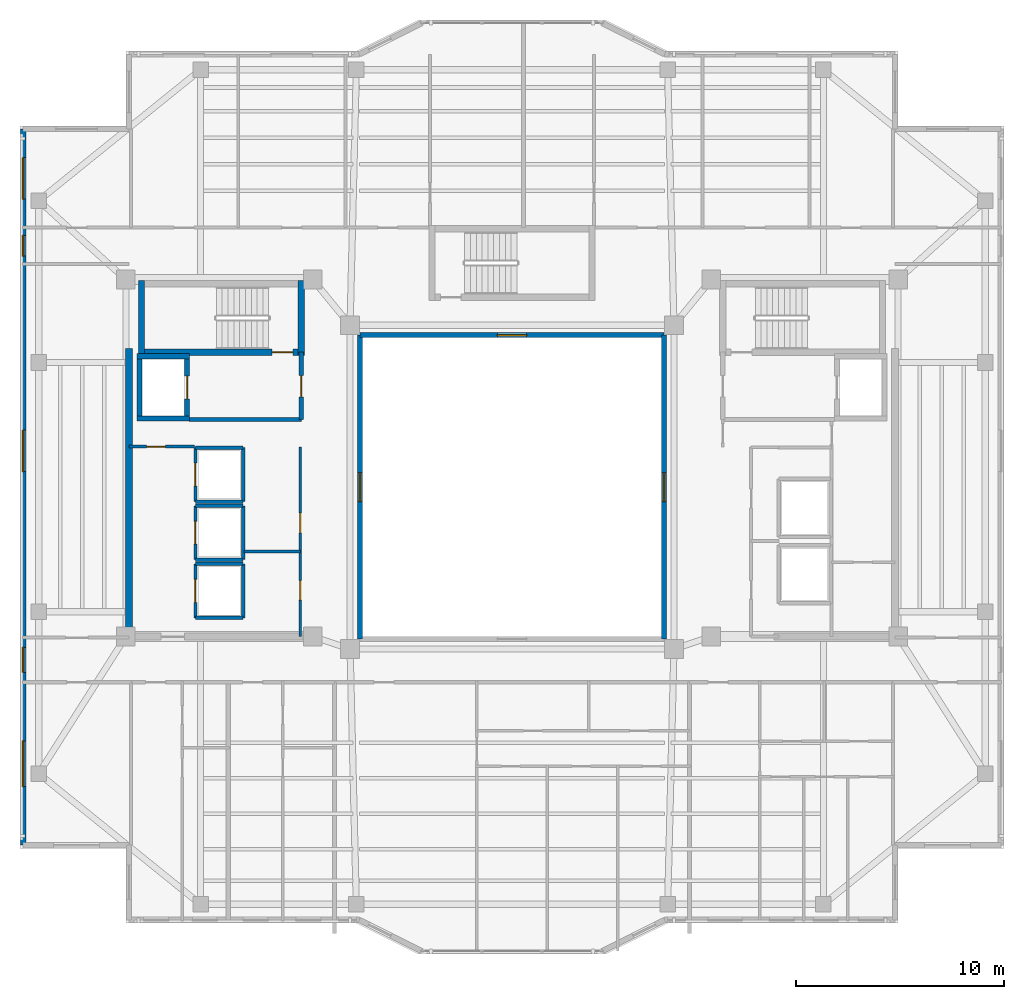
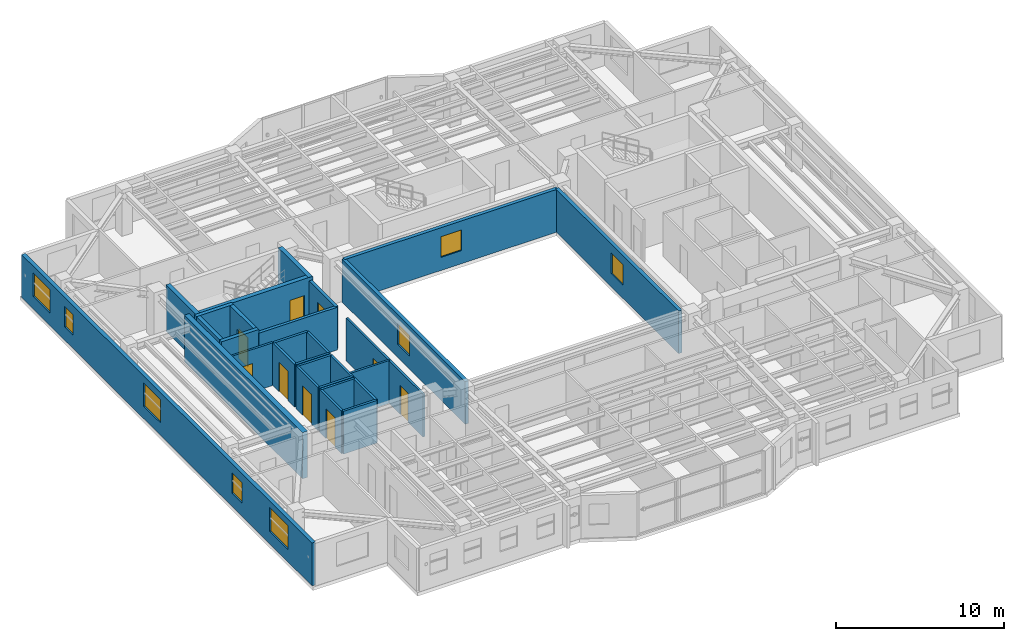
# One storey, part 7 of 14: 29 walls, 9 doors, 8 windows, 17 openings.
"""IFC4 building model written with IfcOpenShell, lengths in metres."""

from ifc_helpers import new_model, si_unit, direction, frame, frame_2d, origin, place, context, subcontext, project, spatial, rectangle, extrude, material, layer, layer_set, type_object, element, fill, save


model = new_model("IFC4")

# Units and contexts
model_context = context("Model", 3, precision=1e-05, world=origin(), true_north=direction((0.0, 1.0)))
body_context = subcontext(model_context, "Body", "Model", "MODEL_VIEW")
ifc_project = project(units=[si_unit("LENGTHUNIT", "METRE"), si_unit("AREAUNIT", "SQUARE_METRE"), si_unit("VOLUMEUNIT", "CUBIC_METRE"), si_unit("PLANEANGLEUNIT", "RADIAN"), si_unit("MASSUNIT", "GRAM", prefix="KILO")], contexts=[model_context])

# Site, building, storey
site_placement = place(None, origin())
site = spatial("IfcSite", under=ifc_project, at=site_placement, CompositionType="ELEMENT")
building_placement = place(site_placement, origin())
building = spatial("IfcBuilding", under=site, at=building_placement, Name="Tarnavaz Court Tower", CompositionType="ELEMENT")
storey_placement = place(building_placement, frame((0.0, 0.0, 190.25)))
storey = spatial("IfcBuildingStorey", under=building, at=storey_placement, Name="L51", CompositionType="ELEMENT", Elevation=190.25)

# Wall
ifc_material_1 = material(Name="Concrete C50/60", Category="concrete")
ifc_layer_1 = layer(ifc_material_1, 0.25)
ifc_layer_set_1 = layer_set([ifc_layer_1], Name="Concrete C50/60")
wall_type_1 = type_object("IfcWallType", Name="WL-CORE-250-C50", PredefinedType="SHEAR", material=ifc_layer_set_1)
wall_1_placement = place(storey_placement, frame((-17.949951171875, 3.175048828125, 0.0), z_axis=(0.0, 0.0, 1.0), x_axis=(0.0, 1.0, 0.0)))
element("IfcWall", 1, at=wall_1_placement, inside=storey, type_object=wall_type_1, Name="L51 Lift FL-W1 Shaft Wall 017", PredefinedType="SHEAR", context=body_context, shape_type="SweptSolid", body=[
    extrude(rectangle(XDim=3.25, YDim=0.25, at=frame_2d((1.625, 0.0))), origin(), (0.0, 0.0, 1.0), 3.35009765625),
])

# Wall, opening, door
wall_2_placement = place(storey_placement, frame((-15.64990234375, 3.175048828125, 0.0), z_axis=(0.0, 0.0, 1.0), x_axis=(0.0, 1.0, 0.0)))
wall_2 = element("IfcWall", 2, at=wall_2_placement, inside=storey, type_object=wall_type_1, Name="L51 Lift FL-W1 Shaft Wall 018", PredefinedType="SHEAR", context=body_context, shape_type="SweptSolid", body=[
    extrude(rectangle(XDim=3.25, YDim=0.25, at=frame_2d((1.625, 0.0))), origin(), (0.0, 0.0, 1.0), 3.35009765625),
])
opening_1_placement = place(wall_2_placement, frame((1.074951171875, 0.0, 0.0)))
opening_1 = element("IfcOpeningElement", 3, at=opening_1_placement, cuts=wall_2, Name="Opening LD1", PredefinedType="OPENING", context=body_context, shape_type="SweptSolid", body=[
    extrude(rectangle(XDim=1.10009765625, YDim=2.14990234375, at=frame_2d((0.550048828125, 1.074951171875))), frame((0.0, 0.135009765625, 0.0), z_axis=(0.0, -1.0, 0.0), x_axis=(1.0, 0.0, 0.0)), (0.0, 0.0, 1.0), 0.27001953125),
])
ifc_material_2 = material(Name="Stainless Steel", Category="steel")
door_type_1 = type_object("IfcDoorType", Name="DR-LD-1100", OperationType="NOTDEFINED", PredefinedType="DOOR", material=ifc_material_2)
door_1_placement = place(opening_1_placement, origin())
door_1 = element("IfcDoor", 4, at=door_1_placement, inside=storey, type_object=door_type_1, Name="L51 Lift Landing Door LD-FL-W1", OperationType="SLIDING_TO_LEFT", OverallHeight=2.14990234375, OverallWidth=1.10009765625, PredefinedType="DOOR", context=body_context, shape_type="SweptSolid", body=[
    extrude(rectangle(XDim=1.10009765625, YDim=2.14990234375, at=frame_2d((0.550048828125, 1.074951171875))), frame((0.0, 0.02490234375, 0.0), z_axis=(0.0, -1.0, 0.0), x_axis=(1.0, 0.0, 0.0)), (0.0, 0.0, 1.0), 0.050048828125),
])
fill(opening_1, door_1)

# Walls
for number, where, z_axis, x_axis, name in (
    (5, (-18.074951171875, 3.300048828125, 0.0), (0.0, 0.0, 1.0), (1.0, 0.0, 0.0), "L51 Lift FL-W1 Shaft Wall 019"),
    (6, (-18.074951171875, 6.300048828125, 0.0), (0.0, 0.0, 1.0), (1.0, 0.0, 0.0), "L51 Lift FL-W1 Shaft Wall 020"),
):
    element("IfcWall", number, at=place(storey_placement, frame(where, z_axis=z_axis, x_axis=x_axis)), inside=storey, type_object=wall_type_1, Name=name, PredefinedType="SHEAR", context=body_context, shape_type="SweptSolid", body=[
        extrude(rectangle(XDim=2.550048828125, YDim=0.25, at=frame_2d((1.27490234375, 0.0))), origin(), (0.0, 0.0, 1.0), 3.35009765625),
    ])

# Wall, opening, door
ifc_layer_2 = layer(ifc_material_1, 0.300048828125)
ifc_layer_set_2 = layer_set([ifc_layer_2], Name="Concrete C50/60")
wall_type_2 = type_object("IfcWallType", Name="WL-CORE-300-C50", PredefinedType="SHEAR", material=ifc_layer_set_2)
wall_3_placement = place(storey_placement, frame((-18.0, 6.5, 0.0), z_axis=(0.0, 0.0, 1.0), x_axis=(1.0, 0.0, 0.0)))
wall_3 = element("IfcWall", 7, at=wall_3_placement, inside=storey, type_object=wall_type_2, Name="L51 West Stair Core Wall 002", PredefinedType="SHEAR", context=body_context, shape_type="SweptSolid", body=[
    extrude(rectangle(XDim=8.0, YDim=0.300048828125, at=frame_2d((4.0, 0.0))), origin(), (0.0, 0.0, 1.0), 3.35009765625),
])
opening_2_placement = place(wall_3_placement, frame((6.449951171875, 0.0, 0.0)))
opening_2 = element("IfcOpeningElement", 8, at=opening_2_placement, cuts=wall_3, Name="Opening D01", PredefinedType="OPENING", context=body_context, shape_type="SweptSolid", body=[
    extrude(rectangle(XDim=1.0, YDim=2.14990234375, at=frame_2d((0.5, 1.074951171875))), frame((0.0, 0.159912109375, 0.0), z_axis=(0.0, -1.0, 0.0), x_axis=(1.0, 0.0, 0.0)), (0.0, 0.0, 1.0), 0.320068359375),
])
ifc_material_3 = material(Name="Fire-Rated Hardwood Timber Core", Category="wood")
door_type_2 = type_object("IfcDoorType", Name="DR-FD90-1000", OperationType="NOTDEFINED", PredefinedType="DOOR", material=ifc_material_3)
door_2_placement = place(opening_2_placement, origin())
door_2 = element("IfcDoor", 9, at=door_2_placement, inside=storey, type_object=door_type_2, Name="L51 Stair ST-W1 Exit Door", OperationType="SINGLE_SWING_LEFT", OverallHeight=2.14990234375, OverallWidth=1.0, PredefinedType="DOOR", context=body_context, shape_type="SweptSolid", body=[
    extrude(rectangle(XDim=1.0, YDim=2.14990234375, at=frame_2d((0.5, 1.074951171875))), frame((0.0, 0.02490234375, 0.0), z_axis=(0.0, -1.0, 0.0), x_axis=(1.0, 0.0, 0.0)), (0.0, 0.0, 1.0), 0.050048828125),
])
fill(opening_2, door_2)

# Walls
for number, where, z_axis, x_axis, name in (
    (10, (-17.85009765625, 6.35009765625, 0.0), (0.0, 0.0, 1.0), (0.0, 1.0, 0.0), "L51 West Stair Core Wall 003"),
    (11, (-10.14990234375, 6.35009765625, 0.0), (0.0, 0.0, 1.0), (0.0, 1.0, 0.0), "L51 West Stair Core Wall 004"),
):
    element("IfcWall", number, at=place(storey_placement, frame(where, z_axis=z_axis, x_axis=x_axis)), inside=storey, type_object=wall_type_2, Name=name, PredefinedType="SHEAR", context=body_context, shape_type="SweptSolid", body=[
        extrude(rectangle(XDim=3.58984375, YDim=0.300048828125, at=frame_2d((1.794921875, 0.0))), origin(), (0.0, 0.0, 1.0), 3.35009765625),
    ])
ifc_layer_3 = layer(ifc_material_1, 0.35009765625)
ifc_layer_set_3 = layer_set([ifc_layer_3], Name="Concrete C50/60")
wall_type_3 = type_object("IfcWallType", Name="WL-CORE-350-C50", PredefinedType="SHEAR", material=ifc_layer_set_3)
wall_4_placement = place(storey_placement, frame((-18.449951171875, -7.375, 0.0), z_axis=(0.0, 0.0, 1.0), x_axis=(0.0, 1.0, 0.0)))
element("IfcWall", 12, at=wall_4_placement, inside=storey, type_object=wall_type_3, Name="L51 West Core Shear Wall 045", PredefinedType="SHEAR", context=body_context, shape_type="SweptSolid", body=[
    extrude(rectangle(XDim=14.050048828125, YDim=0.35009765625, at=frame_2d((7.02490234375, 0.0))), origin(), (0.0, 0.0, 1.0), 3.35009765625),
])

# Wall, openings, windows
ifc_material_4 = material(Name="Precast Concrete C40/50", Category="concrete")
ifc_layer_4 = layer(ifc_material_4, 0.260009765625)
ifc_layer_set_4 = layer_set([ifc_layer_4], Name="Precast Concrete C40/50")
wall_type_4 = type_object("IfcWallType", Name="WL-EXT-260", PredefinedType="SOLIDWALL", material=ifc_layer_set_4)
wall_5_placement = place(storey_placement, frame((-23.550048828125, -17.25, 0.0), z_axis=(0.0, 0.0, 1.0), x_axis=(0.0, 1.0, 0.0)))
wall_5 = element("IfcWall", 13, at=wall_5_placement, inside=storey, type_object=wall_type_4, Name="L51 Exterior Terracotta Facade Wall 02", PredefinedType="SOLIDWALL", context=body_context, shape_type="SweptSolid", body=[
    extrude(rectangle(XDim=34.5, YDim=0.260009765625, at=frame_2d((17.25, 0.0))), origin(), (0.0, 0.0, 1.0), 3.10009765625),
])
opening_3_placement = place(wall_5_placement, frame((2.824951171875, 0.0, 0.89990234375)))
opening_3 = element("IfcOpeningElement", 14, at=opening_3_placement, cuts=wall_5, Name="Opening W07", PredefinedType="OPENING", context=body_context, shape_type="SweptSolid", body=[
    extrude(rectangle(XDim=2.199951171875, YDim=1.75, at=frame_2d((1.10009765625, 0.875))), frame((0.0, 0.139892578125, 0.0), z_axis=(0.0, -1.0, 0.0), x_axis=(1.0, 0.0, 0.0)), (0.0, 0.0, 1.0), 0.280029296875),
])
opening_4_placement = place(wall_5_placement, frame((8.324951171875, 0.0, 0.949951171875)))
opening_4 = element("IfcOpeningElement", 15, at=opening_4_placement, cuts=wall_5, Name="Opening W05", PredefinedType="OPENING", context=body_context, shape_type="SweptSolid", body=[
    extrude(rectangle(XDim=1.199951171875, YDim=1.5, at=frame_2d((0.60009765625, 0.75))), frame((0.0, 0.139892578125, 0.0), z_axis=(0.0, -1.0, 0.0), x_axis=(1.0, 0.0, 0.0)), (0.0, 0.0, 1.0), 0.280029296875),
])
opening_5_placement = place(wall_5_placement, frame((18.0, 0.0, 0.89990234375)))
opening_5 = element("IfcOpeningElement", 16, at=opening_5_placement, cuts=wall_5, Name="Opening W08", PredefinedType="OPENING", context=body_context, shape_type="SweptSolid", body=[
    extrude(rectangle(XDim=2.0, YDim=1.699951171875, at=frame_2d((1.0, 0.85009765625))), frame((0.0, 0.139892578125, 0.0), z_axis=(0.0, -1.0, 0.0), x_axis=(1.0, 0.0, 0.0)), (0.0, 0.0, 1.0), 0.280029296875),
])
opening_6_placement = place(wall_5_placement, frame((28.375, 0.0, 0.949951171875)))
opening_6 = element("IfcOpeningElement", 17, at=opening_6_placement, cuts=wall_5, Name="Opening W14", PredefinedType="OPENING", context=body_context, shape_type="SweptSolid", body=[
    extrude(rectangle(XDim=1.0, YDim=1.5, at=frame_2d((0.5, 0.75))), frame((0.0, 0.139892578125, 0.0), z_axis=(0.0, -1.0, 0.0), x_axis=(1.0, 0.0, 0.0)), (0.0, 0.0, 1.0), 0.280029296875),
])
opening_7_placement = place(wall_5_placement, frame((31.125, 0.0, 0.89990234375)))
opening_7 = element("IfcOpeningElement", 18, at=opening_7_placement, cuts=wall_5, Name="Opening W08", PredefinedType="OPENING", context=body_context, shape_type="SweptSolid", body=[
    extrude(rectangle(XDim=2.0, YDim=1.699951171875, at=frame_2d((1.0, 0.85009765625))), frame((0.0, 0.139892578125, 0.0), z_axis=(0.0, -1.0, 0.0), x_axis=(1.0, 0.0, 0.0)), (0.0, 0.0, 1.0), 0.280029296875),
])
ifc_material_5 = material(Name="Double-Glazed Solar Low-E Glass", Category="glass")
window_type_1 = type_object("IfcWindowType", Name="WN-APT-1000", PartitioningType="SINGLE_PANEL", PredefinedType="WINDOW", material=ifc_material_5)
window_1_placement = place(opening_6_placement, origin())
window_1 = element("IfcWindow", 19, at=window_1_placement, inside=storey, type_object=window_type_1, Name="L51 North-West Corner Corridor Window", OverallHeight=1.5, OverallWidth=1.0, PartitioningType="SINGLE_PANEL", PredefinedType="WINDOW", context=body_context, shape_type="SweptSolid", body=[
    extrude(rectangle(XDim=1.0, YDim=1.5, at=frame_2d((0.5, 0.75))), frame((0.0, 0.030029296875, 0.0), z_axis=(0.0, -1.0, 0.0), x_axis=(1.0, 0.0, 0.0)), (0.0, 0.0, 1.0), 0.06005859375),
])
fill(opening_6, window_1)
window_type_2 = type_object("IfcWindowType", Name="WN-APT-1200", PartitioningType="SINGLE_PANEL", PredefinedType="WINDOW", material=ifc_material_5)
window_2_placement = place(opening_4_placement, origin())
window_2 = element("IfcWindow", 20, at=window_2_placement, inside=storey, type_object=window_type_2, Name="L51 South-West Corner Corridor Window", OverallHeight=1.5, OverallWidth=1.199951171875, PartitioningType="SINGLE_PANEL", PredefinedType="WINDOW", context=body_context, shape_type="SweptSolid", body=[
    extrude(rectangle(XDim=1.199951171875, YDim=1.5, at=frame_2d((0.60009765625, 0.75))), frame((0.0, 0.030029296875, 0.0), z_axis=(0.0, -1.0, 0.0), x_axis=(1.0, 0.0, 0.0)), (0.0, 0.0, 1.0), 0.06005859375),
])
fill(opening_4, window_2)
window_type_3 = type_object("IfcWindowType", Name="WN-APT-2000", PartitioningType="DOUBLE_PANEL_VERTICAL", PredefinedType="WINDOW", material=ifc_material_5)
window_3_placement = place(opening_5_placement, origin())
window_3 = element("IfcWindow", 21, at=window_3_placement, inside=storey, type_object=window_type_3, Name="L51 West Wing Community Meeting Lounge Window", OverallHeight=1.699951171875, OverallWidth=2.0, PartitioningType="SINGLE_PANEL", PredefinedType="WINDOW", context=body_context, shape_type="SweptSolid", body=[
    extrude(rectangle(XDim=2.0, YDim=1.699951171875, at=frame_2d((1.0, 0.85009765625))), frame((0.0, 0.030029296875, 0.0), z_axis=(0.0, -1.0, 0.0), x_axis=(1.0, 0.0, 0.0)), (0.0, 0.0, 1.0), 0.06005859375),
])
fill(opening_5, window_3)
window_4_placement = place(opening_7_placement, origin())
window_4 = element("IfcWindow", 22, at=window_4_placement, inside=storey, type_object=window_type_3, Name="L51 North-West Corner Sunroom Study Window", OverallHeight=1.699951171875, OverallWidth=2.0, PartitioningType="SINGLE_PANEL", PredefinedType="WINDOW", context=body_context, shape_type="SweptSolid", body=[
    extrude(rectangle(XDim=2.0, YDim=1.699951171875, at=frame_2d((1.0, 0.85009765625))), frame((0.0, 0.030029296875, 0.0), z_axis=(0.0, -1.0, 0.0), x_axis=(1.0, 0.0, 0.0)), (0.0, 0.0, 1.0), 0.06005859375),
])
fill(opening_7, window_4)
window_type_4 = type_object("IfcWindowType", Name="WN-APT-2200", PartitioningType="TRIPLE_PANEL_VERTICAL", PredefinedType="WINDOW", material=ifc_material_5)
window_5_placement = place(opening_3_placement, origin())
window_5 = element("IfcWindow", 23, at=window_5_placement, inside=storey, type_object=window_type_4, Name="L51 South-West Corner Reading Room Window", OverallHeight=1.75, OverallWidth=2.199951171875, PartitioningType="SINGLE_PANEL", PredefinedType="WINDOW", context=body_context, shape_type="SweptSolid", body=[
    extrude(rectangle(XDim=2.199951171875, YDim=1.75, at=frame_2d((1.10009765625, 0.875))), frame((0.0, 0.030029296875, 0.0), z_axis=(0.0, -1.0, 0.0), x_axis=(1.0, 0.0, 0.0)), (0.0, 0.0, 1.0), 0.06005859375),
])
fill(opening_3, window_5)

# Wall
ifc_material_6 = material(Name="Autoclaved Aerated Concrete Blockwork", Category="masonry")
ifc_layer_5 = layer(ifc_material_6, 0.199951171875)
ifc_layer_set_5 = layer_set([ifc_layer_5], Name="Autoclaved Aerated Concrete Blockwork")
wall_type_5 = type_object("IfcWallType", Name="WL-FIRE-200", PredefinedType="SOLIDWALL", material=ifc_layer_set_5)
wall_6_placement = place(storey_placement, frame((-15.550048828125, 3.25, 0.0), z_axis=(0.0, 0.0, 1.0), x_axis=(1.0, 0.0, 0.0)))
element("IfcWall", 24, at=wall_6_placement, inside=storey, type_object=wall_type_5, Name="L51 West Firefighting Lobby Wall 013", PredefinedType="SOLIDWALL", context=body_context, shape_type="SweptSolid", body=[
    extrude(rectangle(XDim=5.400146484375, YDim=0.199951171875, at=frame_2d((2.7001953125, 0.0))), origin(), (0.0, 0.0, 1.0), 3.10009765625),
])

# Wall, opening, door
wall_7_placement = place(storey_placement, frame((-10.14990234375, 3.25, 0.0), z_axis=(0.0, 0.0, 1.0), x_axis=(0.0, 1.0, 0.0)))
wall_7 = element("IfcWall", 25, at=wall_7_placement, inside=storey, type_object=wall_type_5, Name="L51 West Firefighting Lobby Wall 014", PredefinedType="SOLIDWALL", context=body_context, shape_type="SweptSolid", body=[
    extrude(rectangle(XDim=3.25, YDim=0.199951171875, at=frame_2d((1.625, 0.0))), origin(), (0.0, 0.0, 1.0), 3.10009765625),
])
opening_8_placement = place(wall_7_placement, frame((1.10009765625, 0.0, 0.0)))
opening_8 = element("IfcOpeningElement", 26, at=opening_8_placement, cuts=wall_7, Name="Opening D05", PredefinedType="OPENING", context=body_context, shape_type="SweptSolid", body=[
    extrude(rectangle(XDim=1.02001953125, YDim=2.14990234375, at=frame_2d((0.510009765625, 1.074951171875))), frame((0.0, 0.10986328125, 0.0), z_axis=(0.0, -1.0, 0.0), x_axis=(1.0, 0.0, 0.0)), (0.0, 0.0, 1.0), 0.219970703125),
])
door_type_3 = type_object("IfcDoorType", Name="DR-FD60-1000", OperationType="NOTDEFINED", PredefinedType="DOOR", material=ifc_material_3)
door_3_placement = place(opening_8_placement, origin())
door_3 = element("IfcDoor", 27, at=door_3_placement, inside=storey, type_object=door_type_3, Name="L51 West Firefighting Lobby Door", OperationType="SINGLE_SWING_RIGHT", OverallHeight=2.14990234375, OverallWidth=1.02001953125, PredefinedType="DOOR", context=body_context, shape_type="SweptSolid", body=[
    extrude(rectangle(XDim=1.02001953125, YDim=2.14990234375, at=frame_2d((0.510009765625, 1.074951171875))), frame((0.0, 0.02490234375, 0.0), z_axis=(0.0, -1.0, 0.0), x_axis=(1.0, 0.0, 0.0)), (0.0, 0.0, 1.0), 0.050048828125),
])
fill(opening_8, door_3)

ifc_material_7 = material(Name="Gypsum Plasterboard Acoustic Partition", Category="masonry")
ifc_layer_6 = layer(ifc_material_7, 0.139892578125)
ifc_layer_set_6 = layer_set([ifc_layer_6], Name="Gypsum Plasterboard Acoustic Partition")
wall_type_6 = type_object("IfcWallType", Name="WL-PART-150", PredefinedType="PARTITIONING", material=ifc_layer_set_6)
wall_8_placement = place(storey_placement, frame((-18.449951171875, 1.949951171875, 0.0), z_axis=(0.0, 0.0, 1.0), x_axis=(1.0, 0.0, 0.0)))
wall_8 = element("IfcWall", 28, at=wall_8_placement, inside=storey, type_object=wall_type_6, Name="L51 Interior Partition 049", PredefinedType="PARTITIONING", context=body_context, shape_type="SweptSolid", body=[
    extrude(rectangle(XDim=3.14990234375, YDim=0.139892578125, at=frame_2d((1.574951171875, 0.0))), origin(), (0.0, 0.0, 1.0), 3.10009765625),
])
opening_9_placement = place(wall_8_placement, frame((0.85009765625, 0.0, 0.0)))
opening_9 = element("IfcOpeningElement", 29, at=opening_9_placement, cuts=wall_8, Name="Opening D09", PredefinedType="OPENING", context=body_context, shape_type="SweptSolid", body=[
    extrude(rectangle(XDim=0.89990234375, YDim=2.080078125, at=frame_2d((0.449951171875, 1.0400390625))), frame((0.0, 0.079833984375, 0.0), z_axis=(0.0, -1.0, 0.0), x_axis=(1.0, 0.0, 0.0)), (0.0, 0.0, 1.0), 0.159912109375),
])
door_type_4 = type_object("IfcDoorType", Name="DR-FD30-900", OperationType="NOTDEFINED", PredefinedType="DOOR", material=ifc_material_3)
door_4_placement = place(opening_9_placement, origin())
door_4 = element("IfcDoor", 30, at=door_4_placement, inside=storey, type_object=door_type_4, Name="L51 West Core Electrical Room Door", OperationType="SINGLE_SWING_RIGHT", OverallHeight=2.080078125, OverallWidth=0.89990234375, PredefinedType="DOOR", context=body_context, shape_type="SweptSolid", body=[
    extrude(rectangle(XDim=0.89990234375, YDim=2.080078125, at=frame_2d((0.449951171875, 1.0400390625))), frame((0.0, 0.02490234375, 0.0), z_axis=(0.0, -1.0, 0.0), x_axis=(1.0, 0.0, 0.0)), (0.0, 0.0, 1.0), 0.050048828125),
])
fill(opening_9, door_4)

# Wall, openings, doors
wall_9_placement = place(storey_placement, frame((-10.199951171875, -7.199951171875, 0.0), z_axis=(0.0, 0.0, 1.0), x_axis=(0.0, 1.0, 0.0)))
wall_9 = element("IfcWall", 31, at=wall_9_placement, inside=storey, type_object=wall_type_6, Name="L51 West Reclaimed Core Wall 050", PredefinedType="PARTITIONING", context=body_context, shape_type="SweptSolid", body=[
    extrude(rectangle(XDim=9.119873046875, YDim=0.139892578125, at=frame_2d((4.56005859375, 0.0))), origin(), (0.0, 0.0, 1.0), 3.10009765625),
])
opening_10_placement = place(wall_9_placement, frame((1.75, 0.0, 0.0)))
opening_10 = element("IfcOpeningElement", 32, at=opening_10_placement, cuts=wall_9, Name="Opening D08", PredefinedType="OPENING", context=body_context, shape_type="SweptSolid", body=[
    extrude(rectangle(XDim=0.949951171875, YDim=2.1201171875, at=frame_2d((0.47509765625, 1.06005859375))), frame((0.0, 0.079833984375, 0.0), z_axis=(0.0, -1.0, 0.0), x_axis=(1.0, 0.0, 0.0)), (0.0, 0.0, 1.0), 0.159912109375),
])
opening_11_placement = place(wall_9_placement, frame((5.0, 0.0, 0.0)))
opening_11 = element("IfcOpeningElement", 33, at=opening_11_placement, cuts=wall_9, Name="Opening D08", PredefinedType="OPENING", context=body_context, shape_type="SweptSolid", body=[
    extrude(rectangle(XDim=0.949951171875, YDim=2.1201171875, at=frame_2d((0.47509765625, 1.06005859375))), frame((0.0, 0.079833984375, 0.0), z_axis=(0.0, -1.0, 0.0), x_axis=(1.0, 0.0, 0.0)), (0.0, 0.0, 1.0), 0.159912109375),
])
door_type_5 = type_object("IfcDoorType", Name="DR-FD30-950", OperationType="NOTDEFINED", PredefinedType="DOOR", material=ifc_material_3)
door_5_placement = place(opening_10_placement, origin())
door_5 = element("IfcDoor", 34, at=door_5_placement, inside=storey, type_object=door_type_5, Name="L51 West Study Room Door", OperationType="SINGLE_SWING_LEFT", OverallHeight=2.1201171875, OverallWidth=0.949951171875, PredefinedType="DOOR", context=body_context, shape_type="SweptSolid", body=[
    extrude(rectangle(XDim=0.949951171875, YDim=2.1201171875, at=frame_2d((0.47509765625, 1.06005859375))), frame((0.0, 0.02490234375, 0.0), z_axis=(0.0, -1.0, 0.0), x_axis=(1.0, 0.0, 0.0)), (0.0, 0.0, 1.0), 0.050048828125),
])
fill(opening_10, door_5)
door_6_placement = place(opening_11_placement, origin())
door_6 = element("IfcDoor", 35, at=door_6_placement, inside=storey, type_object=door_type_5, Name="L51 West Laundry Room Door", OperationType="SINGLE_SWING_RIGHT", OverallHeight=2.1201171875, OverallWidth=0.949951171875, PredefinedType="DOOR", context=body_context, shape_type="SweptSolid", body=[
    extrude(rectangle(XDim=0.949951171875, YDim=2.1201171875, at=frame_2d((0.47509765625, 1.06005859375))), frame((0.0, 0.02490234375, 0.0), z_axis=(0.0, -1.0, 0.0), x_axis=(1.0, 0.0, 0.0)), (0.0, 0.0, 1.0), 0.050048828125),
])
fill(opening_11, door_6)

# Wall
wall_10_placement = place(storey_placement, frame((-12.89990234375, -3.10009765625, 0.0), z_axis=(0.0, 0.0, 1.0), x_axis=(1.0, 0.0, 0.0)))
element("IfcWall", 36, at=wall_10_placement, inside=storey, type_object=wall_type_6, Name="L51 Interior Partition 051", PredefinedType="PARTITIONING", context=body_context, shape_type="SweptSolid", body=[
    extrude(rectangle(XDim=2.699951171875, YDim=0.139892578125, at=frame_2d((1.35009765625, 0.0))), origin(), (0.0, 0.0, 1.0), 3.10009765625),
])

# Wall, opening, door
ifc_layer_7 = layer(ifc_material_6, 0.159912109375)
ifc_layer_set_7 = layer_set([ifc_layer_7], Name="Autoclaved Aerated Concrete Blockwork")
wall_type_7 = type_object("IfcWallType", Name="WL-SHAFT-150", PredefinedType="SOLIDWALL", material=ifc_layer_set_7)
wall_11_placement = place(storey_placement, frame((-15.25, -6.300048828125, 0.0), z_axis=(0.0, 0.0, 1.0), x_axis=(0.0, 1.0, 0.0)))
wall_11 = element("IfcWall", 37, at=wall_11_placement, inside=storey, type_object=wall_type_7, Name="L51 Lift PL-H1 Shaft Wall 021", PredefinedType="SOLIDWALL", context=body_context, shape_type="SweptSolid", body=[
    extrude(rectangle(XDim=2.60009765625, YDim=0.159912109375, at=frame_2d((1.300048828125, 0.0))), origin(), (0.0, 0.0, 1.0), 3.10009765625),
])
opening_12_placement = place(wall_11_placement, frame((0.75, 0.0, 0.0)))
opening_12 = element("IfcOpeningElement", 38, at=opening_12_placement, cuts=wall_11, Name="Opening LD1", PredefinedType="OPENING", context=body_context, shape_type="SweptSolid", body=[
    extrude(rectangle(XDim=1.10009765625, YDim=2.14990234375, at=frame_2d((0.550048828125, 1.074951171875))), frame((0.0, 0.08984375, 0.0), z_axis=(0.0, -1.0, 0.0), x_axis=(1.0, 0.0, 0.0)), (0.0, 0.0, 1.0), 0.179931640625),
])
door_7_placement = place(opening_12_placement, origin())
door_7 = element("IfcDoor", 39, at=door_7_placement, inside=storey, type_object=door_type_1, Name="L51 Lift Landing Door LD-PL-H1", OperationType="SLIDING_TO_LEFT", OverallHeight=2.14990234375, OverallWidth=1.10009765625, PredefinedType="DOOR", context=body_context, shape_type="SweptSolid", body=[
    extrude(rectangle(XDim=1.10009765625, YDim=2.14990234375, at=frame_2d((0.550048828125, 1.074951171875))), frame((0.0, 0.02490234375, 0.0), z_axis=(0.0, -1.0, 0.0), x_axis=(1.0, 0.0, 0.0)), (0.0, 0.0, 1.0), 0.050048828125),
])
fill(opening_12, door_7)

# Walls
wall_12_placement = place(storey_placement, frame((-12.949951171875, -6.300048828125, 0.0), z_axis=(0.0, 0.0, 1.0), x_axis=(0.0, 1.0, 0.0)))
element("IfcWall", 40, at=wall_12_placement, inside=storey, type_object=wall_type_7, Name="L51 Lift PL-H1 Shaft Wall 022", PredefinedType="SOLIDWALL", context=body_context, shape_type="SweptSolid", body=[
    extrude(rectangle(XDim=2.60009765625, YDim=0.159912109375, at=frame_2d((1.300048828125, 0.0))), origin(), (0.0, 0.0, 1.0), 3.10009765625),
])
for number, where, z_axis, x_axis, name in (
    (41, (-15.25, -6.300048828125, 0.0), (0.0, 0.0, 1.0), (1.0, 0.0, 0.0), "L51 Lift PL-H1 Shaft Wall 023"),
    (42, (-15.25, -3.699951171875, 0.0), (0.0, 0.0, 1.0), (1.0, 0.0, 0.0), "L51 Lift PL-H1 Shaft Wall 024"),
):
    element("IfcWall", number, at=place(storey_placement, frame(where, z_axis=z_axis, x_axis=x_axis)), inside=storey, type_object=wall_type_7, Name=name, PredefinedType="SOLIDWALL", context=body_context, shape_type="SweptSolid", body=[
        extrude(rectangle(XDim=2.300048828125, YDim=0.159912109375, at=frame_2d((1.14990234375, 0.0))), origin(), (0.0, 0.0, 1.0), 3.10009765625),
    ])

# Wall, opening, door
wall_13_placement = place(storey_placement, frame((-15.25, -3.5, 0.0), z_axis=(0.0, 0.0, 1.0), x_axis=(0.0, 1.0, 0.0)))
wall_13 = element("IfcWall", 43, at=wall_13_placement, inside=storey, type_object=wall_type_7, Name="L51 Lift PL-H2 Shaft Wall 025", PredefinedType="SOLIDWALL", context=body_context, shape_type="SweptSolid", body=[
    extrude(rectangle(XDim=2.60009765625, YDim=0.159912109375, at=frame_2d((1.300048828125, 0.0))), origin(), (0.0, 0.0, 1.0), 3.10009765625),
])
opening_13_placement = place(wall_13_placement, frame((0.75, 0.0, 0.0)))
opening_13 = element("IfcOpeningElement", 44, at=opening_13_placement, cuts=wall_13, Name="Opening LD1", PredefinedType="OPENING", context=body_context, shape_type="SweptSolid", body=[
    extrude(rectangle(XDim=1.10009765625, YDim=2.14990234375, at=frame_2d((0.550048828125, 1.074951171875))), frame((0.0, 0.08984375, 0.0), z_axis=(0.0, -1.0, 0.0), x_axis=(1.0, 0.0, 0.0)), (0.0, 0.0, 1.0), 0.179931640625),
])
door_8_placement = place(opening_13_placement, origin())
door_8 = element("IfcDoor", 45, at=door_8_placement, inside=storey, type_object=door_type_1, Name="L51 Lift Landing Door LD-PL-H2", OperationType="SLIDING_TO_LEFT", OverallHeight=2.14990234375, OverallWidth=1.10009765625, PredefinedType="DOOR", context=body_context, shape_type="SweptSolid", body=[
    extrude(rectangle(XDim=1.10009765625, YDim=2.14990234375, at=frame_2d((0.550048828125, 1.074951171875))), frame((0.0, 0.02490234375, 0.0), z_axis=(0.0, -1.0, 0.0), x_axis=(1.0, 0.0, 0.0)), (0.0, 0.0, 1.0), 0.050048828125),
])
fill(opening_13, door_8)

# Walls
wall_14_placement = place(storey_placement, frame((-12.949951171875, -3.5, 0.0), z_axis=(0.0, 0.0, 1.0), x_axis=(0.0, 1.0, 0.0)))
element("IfcWall", 46, at=wall_14_placement, inside=storey, type_object=wall_type_7, Name="L51 Lift PL-H2 Shaft Wall 026", PredefinedType="SOLIDWALL", context=body_context, shape_type="SweptSolid", body=[
    extrude(rectangle(XDim=2.60009765625, YDim=0.159912109375, at=frame_2d((1.300048828125, 0.0))), origin(), (0.0, 0.0, 1.0), 3.10009765625),
])
for number, where, z_axis, x_axis, name in (
    (47, (-15.25, -3.5, 0.0), (0.0, 0.0, 1.0), (1.0, 0.0, 0.0), "L51 Lift PL-H2 Shaft Wall 027"),
    (48, (-15.25, -0.89990234375, 0.0), (0.0, 0.0, 1.0), (1.0, 0.0, 0.0), "L51 Lift PL-H2 Shaft Wall 028"),
):
    element("IfcWall", number, at=place(storey_placement, frame(where, z_axis=z_axis, x_axis=x_axis)), inside=storey, type_object=wall_type_7, Name=name, PredefinedType="SOLIDWALL", context=body_context, shape_type="SweptSolid", body=[
        extrude(rectangle(XDim=2.300048828125, YDim=0.159912109375, at=frame_2d((1.14990234375, 0.0))), origin(), (0.0, 0.0, 1.0), 3.10009765625),
    ])

# Wall, opening, door
wall_15_placement = place(storey_placement, frame((-15.25, -0.699951171875, 0.0), z_axis=(0.0, 0.0, 1.0), x_axis=(0.0, 1.0, 0.0)))
wall_15 = element("IfcWall", 49, at=wall_15_placement, inside=storey, type_object=wall_type_7, Name="L51 Lift PL-H3 Shaft Wall 029", PredefinedType="SOLIDWALL", context=body_context, shape_type="SweptSolid", body=[
    extrude(rectangle(XDim=2.599853515625, YDim=0.159912109375, at=frame_2d((1.2998046875, 0.0))), origin(), (0.0, 0.0, 1.0), 3.10009765625),
])
opening_14_placement = place(wall_15_placement, frame((0.75, 0.0, 0.0)))
opening_14 = element("IfcOpeningElement", 50, at=opening_14_placement, cuts=wall_15, Name="Opening LD1", PredefinedType="OPENING", context=body_context, shape_type="SweptSolid", body=[
    extrude(rectangle(XDim=1.10009765625, YDim=2.14990234375, at=frame_2d((0.550048828125, 1.074951171875))), frame((0.0, 0.08984375, 0.0), z_axis=(0.0, -1.0, 0.0), x_axis=(1.0, 0.0, 0.0)), (0.0, 0.0, 1.0), 0.179931640625),
])
door_9_placement = place(opening_14_placement, origin())
door_9 = element("IfcDoor", 51, at=door_9_placement, inside=storey, type_object=door_type_1, Name="L51 Lift Landing Door LD-PL-H3", OperationType="SLIDING_TO_LEFT", OverallHeight=2.14990234375, OverallWidth=1.10009765625, PredefinedType="DOOR", context=body_context, shape_type="SweptSolid", body=[
    extrude(rectangle(XDim=1.10009765625, YDim=2.14990234375, at=frame_2d((0.550048828125, 1.074951171875))), frame((0.0, 0.02490234375, 0.0), z_axis=(0.0, -1.0, 0.0), x_axis=(1.0, 0.0, 0.0)), (0.0, 0.0, 1.0), 0.050048828125),
])
fill(opening_14, door_9)

# Walls
wall_16_placement = place(storey_placement, frame((-12.949951171875, -0.699951171875, 0.0), z_axis=(0.0, 0.0, 1.0), x_axis=(0.0, 1.0, 0.0)))
element("IfcWall", 52, at=wall_16_placement, inside=storey, type_object=wall_type_7, Name="L51 Lift PL-H3 Shaft Wall 030", PredefinedType="SOLIDWALL", context=body_context, shape_type="SweptSolid", body=[
    extrude(rectangle(XDim=2.599853515625, YDim=0.159912109375, at=frame_2d((1.2998046875, 0.0))), origin(), (0.0, 0.0, 1.0), 3.10009765625),
])
for number, where, z_axis, x_axis, name in (
    (53, (-15.25, -0.699951171875, 0.0), (0.0, 0.0, 1.0), (1.0, 0.0, 0.0), "L51 Lift PL-H3 Shaft Wall 031"),
    (54, (-15.25, 1.89990234375, 0.0), (0.0, 0.0, 1.0), (1.0, 0.0, 0.0), "L51 Lift PL-H3 Shaft Wall 032"),
):
    element("IfcWall", number, at=place(storey_placement, frame(where, z_axis=z_axis, x_axis=x_axis)), inside=storey, type_object=wall_type_7, Name=name, PredefinedType="SOLIDWALL", context=body_context, shape_type="SweptSolid", body=[
        extrude(rectangle(XDim=2.300048828125, YDim=0.159912109375, at=frame_2d((1.14990234375, 0.0))), origin(), (0.0, 0.0, 1.0), 3.10009765625),
    ])

# Wall, opening, window
ifc_layer_8 = layer(ifc_material_4, 0.239990234375)
ifc_layer_set_8 = layer_set([ifc_layer_8], Name="Precast Concrete C40/50")
wall_type_8 = type_object("IfcWallType", Name="WL-WELL-240", PredefinedType="SOLIDWALL", material=ifc_layer_set_8)
wall_17_placement = place(storey_placement, frame((7.320068359375, -7.320068359375, 0.0), z_axis=(0.0, 0.0, 1.0), x_axis=(0.0, 1.0, 0.0)))
wall_17 = element("IfcWall", 55, at=wall_17_placement, inside=storey, type_object=wall_type_8, Name="L51 Badgir Light-Well Exterior Wall E", PredefinedType="SOLIDWALL", context=body_context, shape_type="SweptSolid", body=[
    extrude(rectangle(XDim=14.64013671875, YDim=0.239990234375, at=frame_2d((7.320068359375, 0.0))), origin(), (0.0, 0.0, 1.0), 3.10009765625),
])
opening_15_placement = place(wall_17_placement, frame((6.6201171875, 0.0, 0.949951171875)))
opening_15 = element("IfcOpeningElement", 56, at=opening_15_placement, cuts=wall_17, Name="Opening W13", PredefinedType="OPENING", context=body_context, shape_type="SweptSolid", body=[
    extrude(rectangle(XDim=1.39990234375, YDim=1.5, at=frame_2d((0.699951171875, 0.75))), frame((0.0, 0.1298828125, 0.0), z_axis=(0.0, -1.0, 0.0), x_axis=(1.0, 0.0, 0.0)), (0.0, 0.0, 1.0), 0.260009765625),
])
window_type_5 = type_object("IfcWindowType", Name="WN-WEL-1400", PartitioningType="SINGLE_PANEL", PredefinedType="WINDOW", material=ifc_material_5)
window_6_placement = place(opening_15_placement, origin())
window_6 = element("IfcWindow", 57, at=window_6_placement, inside=storey, type_object=window_type_5, Name="L51 Courtyard Gallery Window E", OverallHeight=1.5, OverallWidth=1.39990234375, PartitioningType="SINGLE_PANEL", PredefinedType="WINDOW", context=body_context, shape_type="SweptSolid", body=[
    extrude(rectangle(XDim=1.39990234375, YDim=1.5, at=frame_2d((0.699951171875, 0.75))), frame((0.0, 0.030029296875, 0.0), z_axis=(0.0, -1.0, 0.0), x_axis=(1.0, 0.0, 0.0)), (0.0, 0.0, 1.0), 0.06005859375),
])
fill(opening_15, window_6)

wall_18_placement = place(storey_placement, frame((7.320068359375, 7.320068359375, 0.0), z_axis=(0.0, 0.0, 1.0), x_axis=(-1.0, 0.0, 0.0)))
wall_18 = element("IfcWall", 58, at=wall_18_placement, inside=storey, type_object=wall_type_8, Name="L51 Badgir Light-Well Exterior Wall N", PredefinedType="SOLIDWALL", context=body_context, shape_type="SweptSolid", body=[
    extrude(rectangle(XDim=14.64013671875, YDim=0.239990234375, at=frame_2d((7.320068359375, 0.0))), origin(), (0.0, 0.0, 1.0), 3.10009765625),
])
opening_16_placement = place(wall_18_placement, frame((6.6201171875, 0.0, 0.949951171875)))
opening_16 = element("IfcOpeningElement", 59, at=opening_16_placement, cuts=wall_18, Name="Opening W13", PredefinedType="OPENING", context=body_context, shape_type="SweptSolid", body=[
    extrude(rectangle(XDim=1.39990234375, YDim=1.5, at=frame_2d((0.699951171875, 0.75))), frame((0.0, 0.1298828125, 0.0), z_axis=(0.0, -1.0, 0.0), x_axis=(1.0, 0.0, 0.0)), (0.0, 0.0, 1.0), 0.260009765625),
])
window_7_placement = place(opening_16_placement, origin())
window_7 = element("IfcWindow", 60, at=window_7_placement, inside=storey, type_object=window_type_5, Name="L51 Courtyard Gallery Window N", OverallHeight=1.5, OverallWidth=1.39990234375, PartitioningType="SINGLE_PANEL", PredefinedType="WINDOW", context=body_context, shape_type="SweptSolid", body=[
    extrude(rectangle(XDim=1.39990234375, YDim=1.5, at=frame_2d((0.699951171875, 0.75))), frame((0.0, 0.030029296875, 0.0), z_axis=(0.0, -1.0, 0.0), x_axis=(1.0, 0.0, 0.0)), (0.0, 0.0, 1.0), 0.06005859375),
])
fill(opening_16, window_7)

wall_19_placement = place(storey_placement, frame((-7.320068359375, 7.320068359375, 0.0), z_axis=(0.0, 0.0, 1.0), x_axis=(0.0, -1.0, 0.0)))
wall_19 = element("IfcWall", 61, at=wall_19_placement, inside=storey, type_object=wall_type_8, Name="L51 Badgir Light-Well Exterior Wall W", PredefinedType="SOLIDWALL", context=body_context, shape_type="SweptSolid", body=[
    extrude(rectangle(XDim=14.64013671875, YDim=0.239990234375, at=frame_2d((7.320068359375, 0.0))), origin(), (0.0, 0.0, 1.0), 3.10009765625),
])
opening_17_placement = place(wall_19_placement, frame((6.6201171875, 0.0, 0.949951171875)))
opening_17 = element("IfcOpeningElement", 62, at=opening_17_placement, cuts=wall_19, Name="Opening W13", PredefinedType="OPENING", context=body_context, shape_type="SweptSolid", body=[
    extrude(rectangle(XDim=1.39990234375, YDim=1.5, at=frame_2d((0.699951171875, 0.75))), frame((0.0, 0.1298828125, 0.0), z_axis=(0.0, -1.0, 0.0), x_axis=(1.0, 0.0, 0.0)), (0.0, 0.0, 1.0), 0.260009765625),
])
window_8_placement = place(opening_17_placement, origin())
window_8 = element("IfcWindow", 63, at=window_8_placement, inside=storey, type_object=window_type_5, Name="L51 Courtyard Gallery Window W", OverallHeight=1.5, OverallWidth=1.39990234375, PartitioningType="SINGLE_PANEL", PredefinedType="WINDOW", context=body_context, shape_type="SweptSolid", body=[
    extrude(rectangle(XDim=1.39990234375, YDim=1.5, at=frame_2d((0.699951171875, 0.75))), frame((0.0, 0.030029296875, 0.0), z_axis=(0.0, -1.0, 0.0), x_axis=(1.0, 0.0, 0.0)), (0.0, 0.0, 1.0), 0.06005859375),
])
fill(opening_17, window_8)

save(model, "model.ifc")
